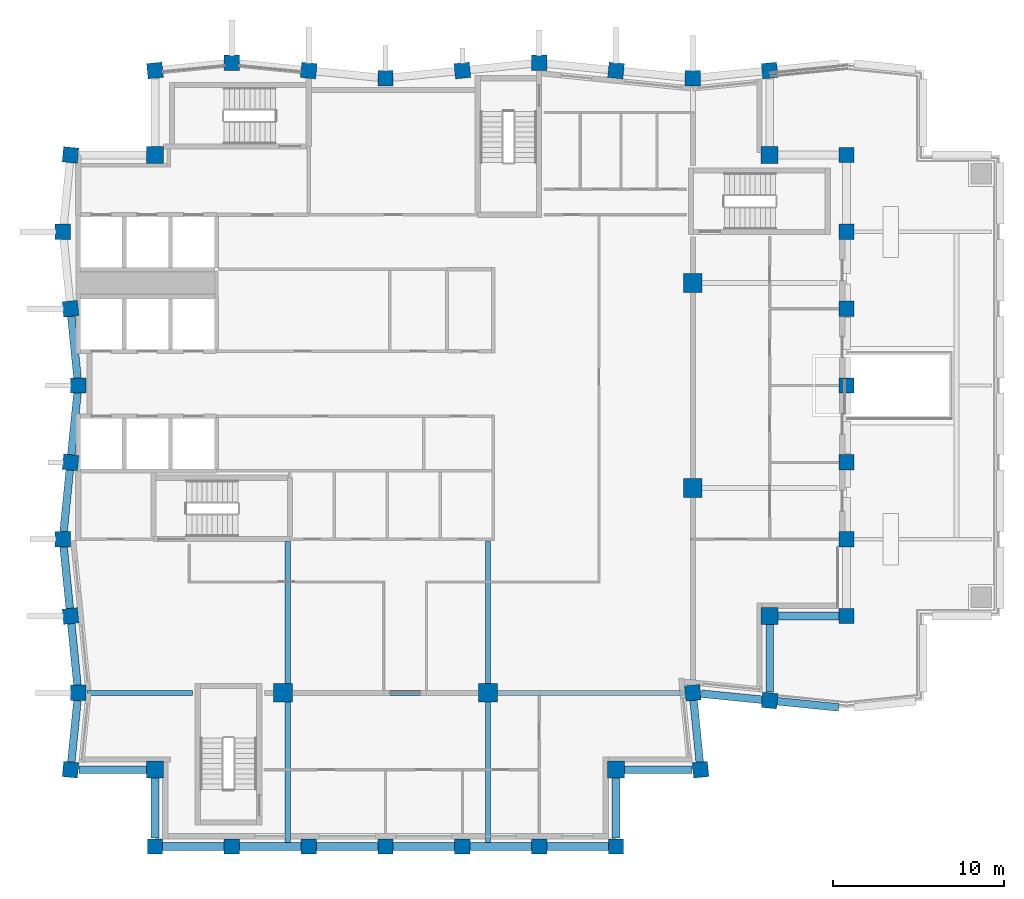
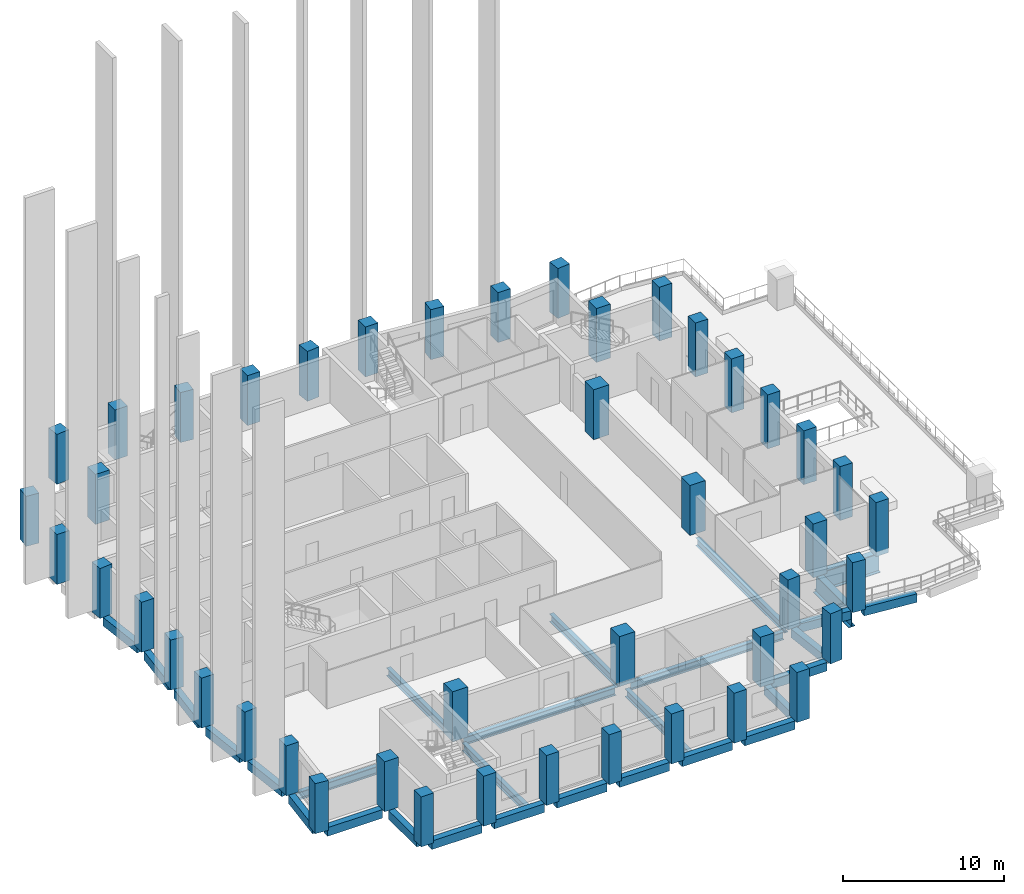
# One storey, part 1 of 11: 44 columns, 29 beams.
"""IFC4 building model written with IfcOpenShell, lengths in metres."""

from ifc_helpers import new_model, si_unit, direction, frame, origin, origin_2d, place, context, subcontext, project, spatial, rectangle, i_section, extrude, material, material_profile, profile_set, type_object, element, save


model = new_model("IFC4")

# Units and contexts
model_context = context("Model", 3, precision=1e-05, world=origin(), true_north=direction((0.0, 1.0)))
body_context = subcontext(model_context, "Body", "Model", "MODEL_VIEW")
ifc_project = project(units=[si_unit("LENGTHUNIT", "METRE"), si_unit("AREAUNIT", "SQUARE_METRE"), si_unit("VOLUMEUNIT", "CUBIC_METRE"), si_unit("PLANEANGLEUNIT", "RADIAN"), si_unit("MASSUNIT", "GRAM", prefix="KILO")], contexts=[model_context])

# Site, building, storey
site_placement = place(None, origin())
site = spatial("IfcSite", under=ifc_project, at=site_placement, CompositionType="ELEMENT")
building_placement = place(site_placement, origin())
building = spatial("IfcBuilding", under=site, at=building_placement, Name="Brondeck Convention Tower", CompositionType="ELEMENT")
storey_placement = place(building_placement, frame((0.0, 0.0, 252.39990234375)))
storey = spatial("IfcBuildingStorey", under=building, at=storey_placement, Name="L62", CompositionType="ELEMENT", Elevation=252.39990234375)

# Columns
ifc_material_1 = material(Name="Concrete C50/60", Category="concrete")
ifc_material_profile_1 = material_profile(ifc_material_1, rectangle(XDim=1.0, YDim=1.0, at=origin_2d()), Name="Corner column 1000x1000 Concrete C50/60")
ifc_profile_set_1 = profile_set([ifc_material_profile_1], Name="Concrete C50/60")
column_type_1 = type_object("IfcColumnType", Name="Corner column 1000x1000 Concrete C50/60", PredefinedType="COLUMN", material=ifc_profile_set_1)
for number, where, z_axis, x_axis, name in (
    (1, (4.5, 22.5, 0.0), (0.0, 0.0, 1.0), (1.0, 0.0, 0.0), "STR-COL-L62-NC-SWB18"),
    (2, (31.5, 22.5, 0.0), (0.0, 0.0, 1.0), (1.0, 0.0, 0.0), "STR-COL-L62-NC-SEB18"),
):
    element("IfcColumn", number, at=place(storey_placement, frame(where, z_axis=z_axis, x_axis=x_axis)), inside=storey, type_object=column_type_1, Name=name, PredefinedType="COLUMN", context=body_context, shape_type="SweptSolid", body=[
        extrude(rectangle(XDim=1.0, YDim=1.0, at=origin_2d()), origin(), (0.0, 0.0, 1.0), 3.800048828125),
    ])
for number, where, z_axis, x_axis, name in (
    (3, (40.5, 31.5, -0.2998046875), (0.0, 0.0, 1.0), (1.0, 0.0, 0.0), "STR-COL-L62-NC-SEA45"),
    (4, (40.5, 58.5, -0.2998046875), (0.0, 0.0, 1.0), (1.0, 0.0, 0.0), "STR-COL-L62-NC-NEA45"),
):
    element("IfcColumn", number, at=place(storey_placement, frame(where, z_axis=z_axis, x_axis=x_axis)), inside=storey, type_object=column_type_1, Name=name, PredefinedType="COLUMN", context=body_context, shape_type="SweptSolid", body=[
        extrude(rectangle(XDim=1.0, YDim=1.0, at=origin_2d()), origin(), (0.0, 0.0, 1.0), 4.099853515625),
    ])
column_placement = place(storey_placement, frame((4.5, 58.5, 0.0), z_axis=(0.0, 0.0, 1.0), x_axis=(1.0, 0.0, 0.0)))
element("IfcColumn", 5, at=column_placement, inside=storey, type_object=column_type_1, Name="STR-COL-L62-NC-NW", PredefinedType="COLUMN", context=body_context, shape_type="SweptSolid", body=[
    extrude(rectangle(XDim=1.0, YDim=1.0, at=origin_2d()), origin(), (0.0, 0.0, 1.0), 3.800048828125),
])
ifc_material_profile_2 = material_profile(ifc_material_1, rectangle(XDim=1.10009765625, YDim=1.10009765625, at=origin_2d()), Name="Interior column 1100x1100 Concrete C50/60")
ifc_profile_set_2 = profile_set([ifc_material_profile_2], Name="Concrete C50/60")
column_type_2 = type_object("IfcColumnType", Name="Interior column 1100x1100 Concrete C50/60", PredefinedType="COLUMN", material=ifc_profile_set_2)
for number, where, z_axis, x_axis, name in (
    (6, (12.0, 27.0, 0.0), (0.0, 0.0, 1.0), (1.0, 0.0, 0.0), "STR-COL-L62-IC-03"),
    (7, (24.0, 27.0, 0.0), (0.0, 0.0, 1.0), (1.0, 0.0, 0.0), "STR-COL-L62-IC-06"),
    (8, (36.0, 39.0, 0.0), (0.0, 0.0, 1.0), (1.0, 0.0, 0.0), "STR-COL-L62-IC-07"),
    (9, (36.0, 51.0, 0.0), (0.0, 0.0, 1.0), (1.0, 0.0, 0.0), "STR-COL-L62-IC-08"),
):
    element("IfcColumn", number, at=place(storey_placement, frame(where, z_axis=z_axis, x_axis=x_axis)), inside=storey, type_object=column_type_2, Name=name, PredefinedType="COLUMN", context=body_context, shape_type="SweptSolid", body=[
        extrude(rectangle(XDim=1.10009765625, YDim=1.10009765625, at=origin_2d()), origin(), (0.0, 0.0, 1.0), 3.800048828125),
    ])
ifc_material_profile_3 = material_profile(ifc_material_1, rectangle(XDim=0.89990234375, YDim=0.89990234375, at=origin_2d()), Name="Perimeter pier 900x900 Concrete C50/60")
ifc_profile_set_3 = profile_set([ifc_material_profile_3], Name="Concrete C50/60")
column_type_3 = type_object("IfcColumnType", Name="Perimeter pier 900x900 Concrete C50/60", PredefinedType="COLUMN", material=ifc_profile_set_3)
for number, where, z_axis, x_axis, name in (
    (10, (4.5, 18.0, 0.0), (0.0, 0.0, 1.0), (1.0, 0.0, 0.0), "STR-COL-L62-PC-B-S18-01"),
    (11, (9.0, 18.0, 0.0), (0.0, 0.0, 1.0), (1.0, 0.0, 0.0), "STR-COL-L62-PC-B-S18-02"),
    (12, (13.5, 18.0, 0.0), (0.0, 0.0, 1.0), (1.0, 0.0, 0.0), "STR-COL-L62-PC-B-S18-03"),
    (13, (18.0, 18.0, 0.0), (0.0, 0.0, 1.0), (1.0, 0.0, 0.0), "STR-COL-L62-PC-B-S18-04"),
    (14, (22.5, 18.0, 0.0), (0.0, 0.0, 1.0), (1.0, 0.0, 0.0), "STR-COL-L62-PC-B-S18-05"),
    (15, (27.0, 18.0, 0.0), (0.0, 0.0, 1.0), (1.0, 0.0, 0.0), "STR-COL-L62-PC-B-S18-06"),
    (16, (31.5, 18.0, 0.0), (0.0, 0.0, 1.0), (1.0, 0.0, 0.0), "STR-COL-L62-PC-B-S18-07"),
    (17, (36.449951171875, 22.5, 0.0), (0.0, 0.0, 1.0), (-0.0995038382, 0.995037178292, 0.0), "STR-COL-L62-PC-B-E-01"),
    (18, (36.0, 27.0, 0.0), (0.0, 0.0, 1.0), (-0.0995038382, 0.995037178292, 0.0), "STR-COL-L62-PC-B-E-00"),
    (19, (40.5, 26.550048828125, 0.0), (0.0, 0.0, 1.0), (0.995037178292, -0.0995038382, 0.0), "STR-COL-L62-PC-A-S-01"),
):
    element("IfcColumn", number, at=place(storey_placement, frame(where, z_axis=z_axis, x_axis=x_axis)), inside=storey, type_object=column_type_3, Name=name, PredefinedType="COLUMN", context=body_context, shape_type="SweptSolid", body=[
        extrude(rectangle(XDim=0.89990234375, YDim=0.89990234375, at=origin_2d()), origin(), (0.0, 0.0, 1.0), 3.800048828125),
    ])
for number, where, z_axis, x_axis, name in (
    (20, (45.0, 31.5, -0.2998046875), (0.0, 0.0, 1.0), (0.0, 1.0, 0.0), "STR-COL-L62-PC-A-E45-01"),
    (21, (45.0, 36.0, -0.2998046875), (0.0, 0.0, 1.0), (0.0, 1.0, 0.0), "STR-COL-L62-PC-A-E45-02"),
    (22, (45.0, 40.5, -0.2998046875), (0.0, 0.0, 1.0), (0.0, 1.0, 0.0), "STR-COL-L62-PC-A-E45-03"),
    (23, (45.0, 45.0, -0.2998046875), (0.0, 0.0, 1.0), (0.0, 1.0, 0.0), "STR-COL-L62-PC-A-E45-04"),
    (24, (45.0, 49.5, -0.2998046875), (0.0, 0.0, 1.0), (0.0, 1.0, 0.0), "STR-COL-L62-PC-A-E45-05"),
    (25, (45.0, 54.0, -0.2998046875), (0.0, 0.0, 1.0), (0.0, 1.0, 0.0), "STR-COL-L62-PC-A-E45-06"),
    (26, (45.0, 58.5, -0.2998046875), (0.0, 0.0, 1.0), (0.0, 1.0, 0.0), "STR-COL-L62-PC-A-E45-07"),
):
    element("IfcColumn", number, at=place(storey_placement, frame(where, z_axis=z_axis, x_axis=x_axis)), inside=storey, type_object=column_type_3, Name=name, PredefinedType="COLUMN", context=body_context, shape_type="SweptSolid", body=[
        extrude(rectangle(XDim=0.89990234375, YDim=0.89990234375, at=origin_2d()), origin(), (0.0, 0.0, 1.0), 4.099853515625),
    ])
for number, where, z_axis, x_axis, name in (
    (27, (40.5, 63.449951171875, 0.0), (0.0, 0.0, 1.0), (-0.995037178292, -0.0995038382, 0.0), "STR-COL-L62-PC-A-N-09"),
    (28, (36.0, 63.0, 0.0), (0.0, 0.0, 1.0), (-1.0, 0.0, 0.0), "STR-COL-L62-PC-A-N-08"),
    (29, (31.5, 63.449951171875, 0.0), (0.0, 0.0, 1.0), (-0.995037178292, 0.0995038382, 0.0), "STR-COL-L62-PC-A-N-07"),
    (30, (27.0, 63.89990234375, 0.0), (0.0, 0.0, 1.0), (-1.0, 0.0, 0.0), "STR-COL-L62-PC-A-N-06"),
    (31, (22.5, 63.449951171875, 0.0), (0.0, 0.0, 1.0), (-0.995037178292, -0.0995038382, 0.0), "STR-COL-L62-PC-A-N-05"),
    (32, (18.0, 63.0, 0.0), (0.0, 0.0, 1.0), (-1.0, 0.0, 0.0), "STR-COL-L62-PC-A-N-04"),
    (33, (13.5, 63.449951171875, 0.0), (0.0, 0.0, 1.0), (-0.995037178292, 0.0995038382, 0.0), "STR-COL-L62-PC-A-N-03"),
    (34, (9.0, 63.89990234375, 0.0), (0.0, 0.0, 1.0), (-1.0, 0.0, 0.0), "STR-COL-L62-PC-A-N-02"),
    (35, (4.5, 63.449951171875, 0.0), (0.0, 0.0, 1.0), (-0.995037178292, -0.0995038382, 0.0), "STR-COL-L62-PC-A-N-01"),
    (36, (-0.449951171875, 58.5, 0.0), (0.0, 0.0, 1.0), (-0.0995038382, -0.995037178292, 0.0), "STR-COL-L62-PC-B-W-01"),
    (37, (-0.89990234375, 54.0, 0.0), (0.0, 0.0, 1.0), (0.0, -1.0, 0.0), "STR-COL-L62-PC-B-W-02"),
    (38, (-0.449951171875, 49.5, 0.0), (0.0, 0.0, 1.0), (0.0995038382, -0.995037178292, 0.0), "STR-COL-L62-PC-B-W-03"),
    (39, (0.0, 45.0, 0.0), (0.0, 0.0, 1.0), (0.0, -1.0, 0.0), "STR-COL-L62-PC-B-W-04"),
    (40, (-0.449951171875, 40.5, 0.0), (0.0, 0.0, 1.0), (-0.0995038382, -0.995037178292, 0.0), "STR-COL-L62-PC-B-W-05"),
    (41, (-0.89990234375, 36.0, 0.0), (0.0, 0.0, 1.0), (0.0, -1.0, 0.0), "STR-COL-L62-PC-B-W-06"),
    (42, (-0.449951171875, 31.5, 0.0), (0.0, 0.0, 1.0), (0.0995038382, -0.995037178292, 0.0), "STR-COL-L62-PC-B-W-07"),
    (43, (0.0, 27.0, 0.0), (0.0, 0.0, 1.0), (0.0, -1.0, 0.0), "STR-COL-L62-PC-B-W-08"),
    (44, (-0.449951171875, 22.5, 0.0), (0.0, 0.0, 1.0), (-0.0995038382, -0.995037178292, 0.0), "STR-COL-L62-PC-B-W-09"),
):
    element("IfcColumn", number, at=place(storey_placement, frame(where, z_axis=z_axis, x_axis=x_axis)), inside=storey, type_object=column_type_3, Name=name, PredefinedType="COLUMN", context=body_context, shape_type="SweptSolid", body=[
        extrude(rectangle(XDim=0.89990234375, YDim=0.89990234375, at=origin_2d()), origin(), (0.0, 0.0, 1.0), 3.800048828125),
    ])

# Beams
ifc_material_2 = material(Name="Steel S355", Category="steel")
ifc_material_profile_4 = material_profile(ifc_material_2, i_section(OverallWidth=0.300048828125, OverallDepth=0.60009765625, WebThickness=0.015380859375, FlangeThickness=0.030029296875, FilletRadius=0.027099609375, at=origin_2d()), Name="HEB 600")
ifc_profile_set_4 = profile_set([ifc_material_profile_4], Name="Steel S355")
beam_type_1 = type_object("IfcBeamType", Name="Girder HEB 600", PredefinedType="BEAM", material=ifc_profile_set_4)
beam_1_placement = place(storey_placement, frame((36.0, 27.4521484375, -0.599853515625), z_axis=(0.0, 1.0, 0.0), x_axis=(-1.0, 0.0, 0.0)))
element("IfcBeam", 45, at=beam_1_placement, inside=storey, type_object=beam_type_1, Name="STR-GR-L62-003", PredefinedType="BEAM", context=body_context, shape_type="SweptSolid", body=[
    extrude(i_section(OverallWidth=0.300048828125, OverallDepth=0.60009765625, WebThickness=0.015380859375, FlangeThickness=0.030029296875, FilletRadius=0.027099609375, at=origin_2d()), origin(), (0.0, 0.0, 1.0), 10.997802734375),
])
beam_2_placement = place(storey_placement, frame((12.27001953125, 35.85009765625, -0.599853515625), z_axis=(0.0, -1.0, 0.0), x_axis=(1.0, 0.0, 0.0)))
element("IfcBeam", 46, at=beam_2_placement, inside=storey, type_object=beam_type_1, Name="STR-GR-L62-007", PredefinedType="BEAM", context=body_context, shape_type="SweptSolid", body=[
    extrude(i_section(OverallWidth=0.300048828125, OverallDepth=0.60009765625, WebThickness=0.015380859375, FlangeThickness=0.030029296875, FilletRadius=0.027099609375, at=origin_2d()), origin(), (0.0, 0.0, 1.0), 8.300048828125),
])
beam_3_placement = place(storey_placement, frame((12.27001953125, 26.449951171875, -0.599853515625), z_axis=(0.0, -1.0, 0.0), x_axis=(1.0, 0.0, 0.0)))
element("IfcBeam", 47, at=beam_3_placement, inside=storey, type_object=beam_type_1, Name="STR-GR-L62-008", PredefinedType="BEAM", context=body_context, shape_type="SweptSolid", body=[
    extrude(i_section(OverallWidth=0.300048828125, OverallDepth=0.60009765625, WebThickness=0.015380859375, FlangeThickness=0.030029296875, FilletRadius=0.027099609375, at=origin_2d()), origin(), (0.0, 0.0, 1.0), 8.224853515625),
])
beam_4_placement = place(storey_placement, frame((24.0, 35.85009765625, -0.599853515625), z_axis=(0.0, -1.0, 0.0), x_axis=(1.0, 0.0, 0.0)))
element("IfcBeam", 48, at=beam_4_placement, inside=storey, type_object=beam_type_1, Name="STR-GR-L62-009", PredefinedType="BEAM", context=body_context, shape_type="SweptSolid", body=[
    extrude(i_section(OverallWidth=0.300048828125, OverallDepth=0.60009765625, WebThickness=0.015380859375, FlangeThickness=0.030029296875, FilletRadius=0.027099609375, at=origin_2d()), origin(), (0.0, 0.0, 1.0), 8.300048828125),
])
beam_5_placement = place(storey_placement, frame((24.0, 26.449951171875, -0.599853515625), z_axis=(0.0, -1.0, 0.0), x_axis=(1.0, 0.0, 0.0)))
element("IfcBeam", 49, at=beam_5_placement, inside=storey, type_object=beam_type_1, Name="STR-GR-L62-010", PredefinedType="BEAM", context=body_context, shape_type="SweptSolid", body=[
    extrude(i_section(OverallWidth=0.300048828125, OverallDepth=0.60009765625, WebThickness=0.015380859375, FlangeThickness=0.030029296875, FilletRadius=0.027099609375, at=origin_2d()), origin(), (0.0, 0.0, 1.0), 8.224853515625),
])
beam_6_placement = place(storey_placement, frame((0.5, 27.0, -0.599853515625), z_axis=(1.0, 0.0, 0.0), x_axis=(0.0, 1.0, 0.0)))
element("IfcBeam", 50, at=beam_6_placement, inside=storey, type_object=beam_type_1, Name="STR-GR-L62-011", PredefinedType="BEAM", context=body_context, shape_type="SweptSolid", body=[
    extrude(i_section(OverallWidth=0.300048828125, OverallDepth=0.60009765625, WebThickness=0.015380859375, FlangeThickness=0.030029296875, FilletRadius=0.027099609375, at=origin_2d()), origin(), (0.0, 0.0, 1.0), 6.199951171875),
])
beam_7_placement = place(storey_placement, frame((12.550048828125, 27.0, -0.599853515625), z_axis=(1.0, 0.0, 0.0), x_axis=(0.0, 1.0, 0.0)))
element("IfcBeam", 51, at=beam_7_placement, inside=storey, type_object=beam_type_1, Name="STR-GR-L62-012", PredefinedType="BEAM", context=body_context, shape_type="SweptSolid", body=[
    extrude(i_section(OverallWidth=0.300048828125, OverallDepth=0.60009765625, WebThickness=0.015380859375, FlangeThickness=0.030029296875, FilletRadius=0.027099609375, at=origin_2d()), origin(), (0.0, 0.0, 1.0), 10.89990234375),
])
beam_8_placement = place(storey_placement, frame((24.550048828125, 27.0, -0.599853515625), z_axis=(1.0, 0.0, 0.0), x_axis=(0.0, 1.0, 0.0)))
element("IfcBeam", 52, at=beam_8_placement, inside=storey, type_object=beam_type_1, Name="STR-GR-L62-013", PredefinedType="BEAM", context=body_context, shape_type="SweptSolid", body=[
    extrude(i_section(OverallWidth=0.300048828125, OverallDepth=0.60009765625, WebThickness=0.015380859375, FlangeThickness=0.030029296875, FilletRadius=0.027099609375, at=origin_2d()), origin(), (0.0, 0.0, 1.0), 10.947509765625),
])
ifc_material_profile_5 = material_profile(ifc_material_1, rectangle(XDim=0.449951171875, YDim=0.64990234375, at=origin_2d()), Name="Precast spandrel 450x650 Concrete C50/60")
ifc_profile_set_5 = profile_set([ifc_material_profile_5], Name="Concrete C50/60")
beam_type_2 = type_object("IfcBeamType", Name="Precast spandrel 450x650 Concrete C50/60", PredefinedType="SPANDREL", material=ifc_profile_set_5)
for number, where, z_axis, x_axis, name in (
    (53, (4.949951171875, 18.0, -0.324951171875), (1.0, 0.0, 0.0), (0.0, 1.0, 0.0), "STR-SP-L62-001"),
    (54, (9.449951171875, 18.0, -0.324951171875), (1.0, 0.0, 0.0), (0.0, 1.0, 0.0), "STR-SP-L62-002"),
    (55, (13.949951171875, 18.0, -0.324951171875), (1.0, 0.0, 0.0), (0.0, 1.0, 0.0), "STR-SP-L62-003"),
    (56, (18.449951171875, 18.0, -0.324951171875), (1.0, 0.0, 0.0), (0.0, 1.0, 0.0), "STR-SP-L62-004"),
    (57, (22.949951171875, 18.0, -0.324951171875), (1.0, 0.0, 0.0), (0.0, 1.0, 0.0), "STR-SP-L62-005"),
    (58, (27.449951171875, 18.0, -0.324951171875), (1.0, 0.0, 0.0), (0.0, 1.0, 0.0), "STR-SP-L62-006"),
):
    element("IfcBeam", number, at=place(storey_placement, frame(where, z_axis=z_axis, x_axis=x_axis)), inside=storey, type_object=beam_type_2, Name=name, PredefinedType="SPANDREL", context=body_context, shape_type="SweptSolid", body=[
        extrude(rectangle(XDim=0.449951171875, YDim=0.64990234375, at=origin_2d()), origin(), (0.0, 0.0, 1.0), 3.60009765625),
    ])
beam_9_placement = place(storey_placement, frame((31.5, 18.5, -0.324951171875), z_axis=(0.0, 1.0, 0.0), x_axis=(-1.0, 0.0, 0.0)))
element("IfcBeam", 59, at=beam_9_placement, inside=storey, type_object=beam_type_2, Name="STR-SP-L62-007", PredefinedType="SPANDREL", context=body_context, shape_type="SweptSolid", body=[
    extrude(rectangle(XDim=0.449951171875, YDim=0.64990234375, at=origin_2d()), origin(), (0.0, 0.0, 1.0), 3.5),
])
beam_10_placement = place(storey_placement, frame((32.0, 22.5, -0.324951171875), z_axis=(1.0, 0.0, 0.0), x_axis=(0.0, 1.0, 0.0)))
element("IfcBeam", 60, at=beam_10_placement, inside=storey, type_object=beam_type_2, Name="STR-SP-L62-008", PredefinedType="SPANDREL", context=body_context, shape_type="SweptSolid", body=[
    extrude(rectangle(XDim=0.449951171875, YDim=0.64990234375, at=origin_2d()), origin(), (0.0, 0.0, 1.0), 3.947509765625),
])
beam_11_placement = place(storey_placement, frame((36.4052734375, 22.94775390625, -0.324951171875), z_axis=(-0.099543756114, 0.995033185687, 0.0), x_axis=(-0.995033185687, -0.099543756114, 0.0)))
element("IfcBeam", 61, at=beam_11_placement, inside=storey, type_object=beam_type_2, Name="STR-SP-L62-009", PredefinedType="SPANDREL", context=body_context, shape_type="SweptSolid", body=[
    extrude(rectangle(XDim=0.449951171875, YDim=0.64990234375, at=origin_2d()), origin(), (0.0, 0.0, 1.0), 3.62255859375),
])
beam_12_placement = place(storey_placement, frame((36.507568359375, 26.94921875, -0.324951171875), z_axis=(0.995036511638, -0.099510504504, 0.0), x_axis=(0.099510504504, 0.995036511638, 0.0)))
element("IfcBeam", 62, at=beam_12_placement, inside=storey, type_object=beam_type_2, Name="STR-SP-L62-010", PredefinedType="SPANDREL", context=body_context, shape_type="SweptSolid", body=[
    extrude(rectangle(XDim=0.449951171875, YDim=0.64990234375, at=origin_2d()), origin(), (0.0, 0.0, 1.0), 3.562255859375),
])
for number, where, z_axis, x_axis, name in (
    (63, (-0.4052734375, 49.05224609375, -0.324951171875), (0.099537103649, -0.995033851182, 0.0), (0.995033851182, 0.099537103649, 0.0), "STR-SP-L62-023"),
    (64, (-0.044921875, 44.550048828125, -0.324951171875), (-0.099537103649, -0.995033851182, 0.0), (0.995033851182, -0.099537103649, 0.0), "STR-SP-L62-024"),
    (65, (-0.494873046875, 40.05224609375, -0.324951171875), (-0.099470334057, -0.995040528141, 0.0), (0.995040528141, -0.099470334057, 0.0), "STR-SP-L62-025"),
    (66, (-0.85498046875, 35.550048828125, -0.324951171875), (0.099470334057, -0.995040528141, 0.0), (0.995040528141, 0.099470334057, 0.0), "STR-SP-L62-026"),
    (67, (-0.4052734375, 31.05224609375, -0.324951171875), (0.099537103649, -0.995033851182, 0.0), (0.995033851182, 0.099537103649, 0.0), "STR-SP-L62-027"),
    (68, (-0.044921875, 26.550048828125, -0.324951171875), (-0.099537103649, -0.995033851182, 0.0), (0.995033851182, -0.099537103649, 0.0), "STR-SP-L62-028"),
):
    element("IfcBeam", number, at=place(storey_placement, frame(where, z_axis=z_axis, x_axis=x_axis)), inside=storey, type_object=beam_type_2, Name=name, PredefinedType="SPANDREL", context=body_context, shape_type="SweptSolid", body=[
        extrude(rectangle(XDim=0.449951171875, YDim=0.64990234375, at=origin_2d()), origin(), (0.0, 0.0, 1.0), 3.620361328125),
    ])
beam_13_placement = place(storey_placement, frame((0.052490234375, 22.5, -0.324951171875), z_axis=(1.0, 0.0, 0.0), x_axis=(0.0, 1.0, 0.0)))
element("IfcBeam", 69, at=beam_13_placement, inside=storey, type_object=beam_type_2, Name="STR-SP-L62-029", PredefinedType="SPANDREL", context=body_context, shape_type="SweptSolid", body=[
    extrude(rectangle(XDim=0.449951171875, YDim=0.64990234375, at=origin_2d()), origin(), (0.0, 0.0, 1.0), 3.947509765625),
])
beam_14_placement = place(storey_placement, frame((4.5, 22.0, -0.324951171875), z_axis=(0.0, -1.0, 0.0), x_axis=(1.0, 0.0, 0.0)))
element("IfcBeam", 70, at=beam_14_placement, inside=storey, type_object=beam_type_2, Name="STR-SP-L62-030", PredefinedType="SPANDREL", context=body_context, shape_type="SweptSolid", body=[
    extrude(rectangle(XDim=0.449951171875, YDim=0.64990234375, at=origin_2d()), origin(), (0.0, 0.0, 1.0), 3.5),
])
beam_15_placement = place(storey_placement, frame((44.550048828125, 26.14501953125, -0.324951171875), z_axis=(-0.995040528141, 0.099470334057, 0.0), x_axis=(-0.099470334057, -0.995040528141, 0.0)))
element("IfcBeam", 71, at=beam_15_placement, inside=storey, type_object=beam_type_2, Name="STR-SP-L62T1-013", PredefinedType="SPANDREL", context=body_context, shape_type="SweptSolid", body=[
    extrude(rectangle(XDim=0.449951171875, YDim=0.64990234375, at=origin_2d()), origin(), (0.0, 0.0, 1.0), 3.620361328125),
])
ifc_material_3 = material(Name="Steel S460", Category="steel")
ifc_material_profile_6 = material_profile(ifc_material_3, i_section(OverallWidth=0.449951171875, OverallDepth=1.5, WebThickness=0.02490234375, FlangeThickness=0.044921875, at=origin_2d()), Name="PG 1500x450")
ifc_profile_set_6 = profile_set([ifc_material_profile_6], Name="Steel S460")
beam_type_3 = type_object("IfcBeamType", Name="Transfer girder PG 1500x450", PredefinedType="BEAM", material=ifc_profile_set_6)
beam_16_placement = place(storey_placement, frame((40.5, 27.052490234375, -1.0498046875), z_axis=(0.0, 1.0, 0.0), x_axis=(-1.0, 0.0, 0.0)))
element("IfcBeam", 72, at=beam_16_placement, inside=storey, type_object=beam_type_3, Name="Setback transfer girder PG-L62-1", PredefinedType="BEAM", context=body_context, shape_type="SweptSolid", body=[
    extrude(i_section(OverallWidth=0.449951171875, OverallDepth=1.5, WebThickness=0.02490234375, FlangeThickness=0.044921875, at=origin_2d()), origin(), (0.0, 0.0, 1.0), 4.447509765625),
])
beam_17_placement = place(storey_placement, frame((40.5, 31.5, -1.0498046875), z_axis=(1.0, 0.0, 0.0), x_axis=(0.0, 1.0, 0.0)))
element("IfcBeam", 73, at=beam_17_placement, inside=storey, type_object=beam_type_3, Name="Setback transfer girder PG-L62-2", PredefinedType="BEAM", context=body_context, shape_type="SweptSolid", body=[
    extrude(i_section(OverallWidth=0.449951171875, OverallDepth=1.5, WebThickness=0.02490234375, FlangeThickness=0.044921875, at=origin_2d()), origin(), (0.0, 0.0, 1.0), 4.5),
])

save(model, "model.ifc")
